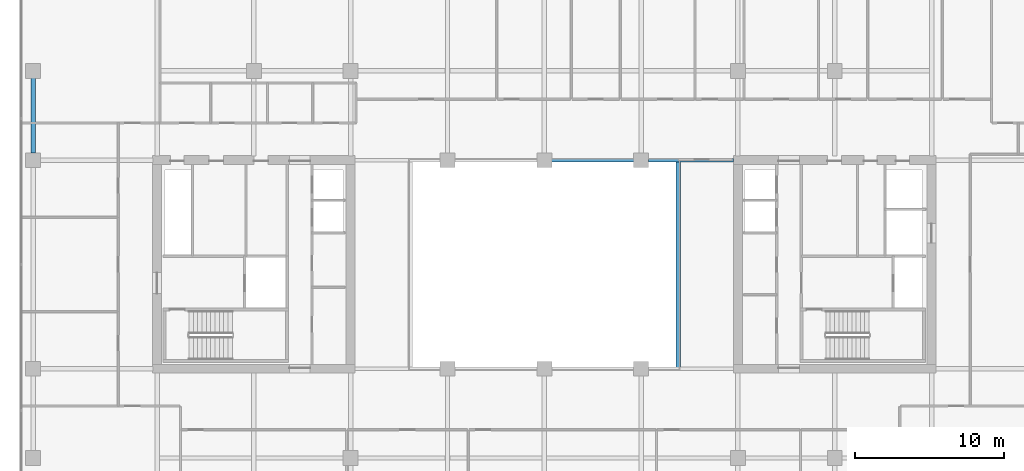
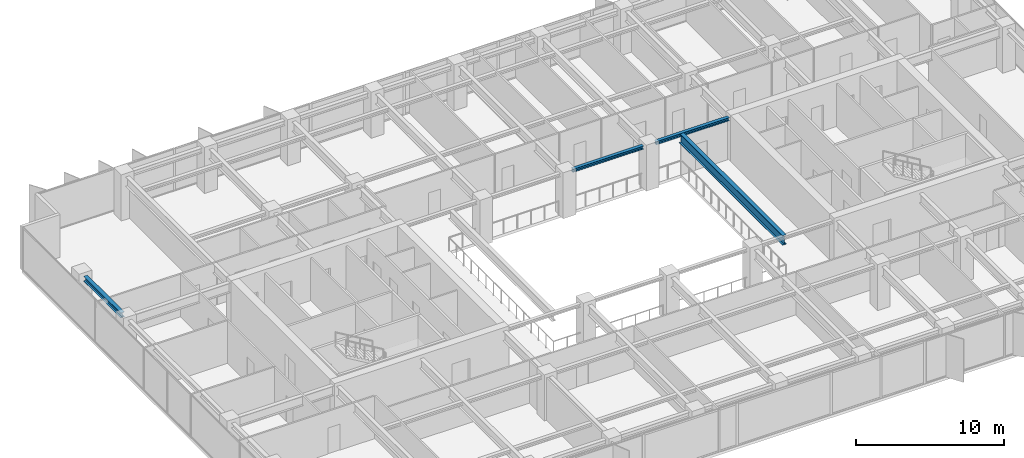
# One storey, part 7 of 22: 4 beams.
"""IFC4 building model written with IfcOpenShell, lengths in metres."""

from ifc_helpers import new_model, si_unit, direction, frame, origin, origin_2d, place, context, subcontext, project, spatial, i_section, extrude, material, material_profile, profile_set, type_object, element, save


model = new_model("IFC4")

# Units and contexts
model_context = context("Model", 3, precision=1e-05, world=origin(), true_north=direction((0.0, 1.0)))
body_context = subcontext(model_context, "Body", "Model", "MODEL_VIEW")
ifc_project = project(units=[si_unit("LENGTHUNIT", "METRE"), si_unit("AREAUNIT", "SQUARE_METRE"), si_unit("VOLUMEUNIT", "CUBIC_METRE"), si_unit("PLANEANGLEUNIT", "RADIAN"), si_unit("MASSUNIT", "GRAM", prefix="KILO")], contexts=[model_context])

# Site, building, storey
site_placement = place(None, origin())
site = spatial("IfcSite", under=ifc_project, at=site_placement, CompositionType="ELEMENT")
building_placement = place(site_placement, origin())
building = spatial("IfcBuilding", under=site, at=building_placement, Name="Putna Gate Headquarters", CompositionType="ELEMENT")
storey_placement = place(building_placement, frame((0.0, 0.0, 193.60009765625)))
storey = spatial("IfcBuildingStorey", under=building, at=storey_placement, Name="L48", CompositionType="ELEMENT", Elevation=193.60009765625)

# Beams
ifc_material = material(Name="Steel S355J2", Category="steel")
ifc_material_profile_1 = material_profile(ifc_material, i_section(OverallWidth=0.260009765625, OverallDepth=0.260009765625, WebThickness=0.010009765625, FlangeThickness=0.017578125, at=origin_2d()), Name="Steel S355J2")
ifc_profile_set_1 = profile_set([ifc_material_profile_1], Name="Steel S355J2")
beam_type_1 = type_object("IfcBeamType", Name="BM-ATRIUM-HEB260", PredefinedType="BEAM", material=ifc_profile_set_1)
beam_1_placement = place(storey_placement, frame((39.488037109375, 33.0, 3.389892578125), z_axis=(1.0, 0.0, 0.0), x_axis=(0.0, 1.0, 0.0)))
element("IfcBeam", 1, at=beam_1_placement, inside=storey, type_object=beam_type_1, Name="L48 Atrium Edge Beam AN3", PredefinedType="BEAM", context=body_context, shape_type="SweptSolid", body=[
    extrude(i_section(OverallWidth=0.260009765625, OverallDepth=0.260009765625, WebThickness=0.010009765625, FlangeThickness=0.017578125, at=origin_2d()), origin(), (0.0, 0.0, 1.0), 5.52392578125),
])
beam_2_placement = place(storey_placement, frame((45.988037109375, 33.0, 3.389892578125), z_axis=(1.0, 0.0, 0.0), x_axis=(0.0, 1.0, 0.0)))
element("IfcBeam", 2, at=beam_2_placement, inside=storey, type_object=beam_type_1, Name="L48 Atrium Edge Beam AN4", PredefinedType="BEAM", context=body_context, shape_type="SweptSolid", body=[
    extrude(i_section(OverallWidth=0.260009765625, OverallDepth=0.260009765625, WebThickness=0.010009765625, FlangeThickness=0.017578125, at=origin_2d()), origin(), (0.0, 0.0, 1.0), 5.72705078125),
])
ifc_material_profile_2 = material_profile(ifc_material, i_section(OverallWidth=0.300048828125, OverallDepth=0.800048828125, WebThickness=0.017578125, FlangeThickness=0.032958984375, at=origin_2d()), Name="Steel S355J2")
ifc_profile_set_2 = profile_set([ifc_material_profile_2], Name="Steel S355J2")
beam_type_2 = type_object("IfcBeamType", Name="BM-GIRD-P-HEB800", PredefinedType="USERDEFINED", material=ifc_profile_set_2)
beam_3_placement = place(storey_placement, frame((48.0, 19.010009765625, 3.119873046875), z_axis=(0.0, 1.0, 0.0), x_axis=(-1.0, 0.0, 0.0)))
element("IfcBeam", 3, at=beam_3_placement, inside=storey, type_object=beam_type_2, Name="L48 Atrium Trim Girder AE", ObjectType="GIRDER", PredefinedType="USERDEFINED", context=body_context, shape_type="SweptSolid", body=[
    extrude(i_section(OverallWidth=0.300048828125, OverallDepth=0.800048828125, WebThickness=0.017578125, FlangeThickness=0.032958984375, at=origin_2d()), origin(), (0.0, 0.0, 1.0), 13.97998046875),
])
ifc_material_profile_3 = material_profile(ifc_material, i_section(OverallWidth=0.300048828125, OverallDepth=0.39990234375, WebThickness=0.013427734375, FlangeThickness=0.02392578125, at=origin_2d()), Name="Steel S355J2")
ifc_profile_set_3 = profile_set([ifc_material_profile_3], Name="Steel S355J2")
beam_type_3 = type_object("IfcBeamType", Name="BM-SPAN-Z3-HEB400", PredefinedType="SPANDREL", material=ifc_profile_set_3)
beam_4_placement = place(storey_placement, frame((4.679931640625, 33.488037109375, 3.31982421875), z_axis=(0.0, 1.0, 0.0), x_axis=(-1.0, 0.0, 0.0)))
element("IfcBeam", 4, at=beam_4_placement, inside=storey, type_object=beam_type_3, Name="L48 W End Spandrel 3", PredefinedType="SPANDREL", context=body_context, shape_type="SweptSolid", body=[
    extrude(i_section(OverallWidth=0.300048828125, OverallDepth=0.39990234375, WebThickness=0.013427734375, FlangeThickness=0.02392578125, at=origin_2d()), origin(), (0.0, 0.0, 1.0), 5.02392578125),
])

save(model, "model.ifc")
